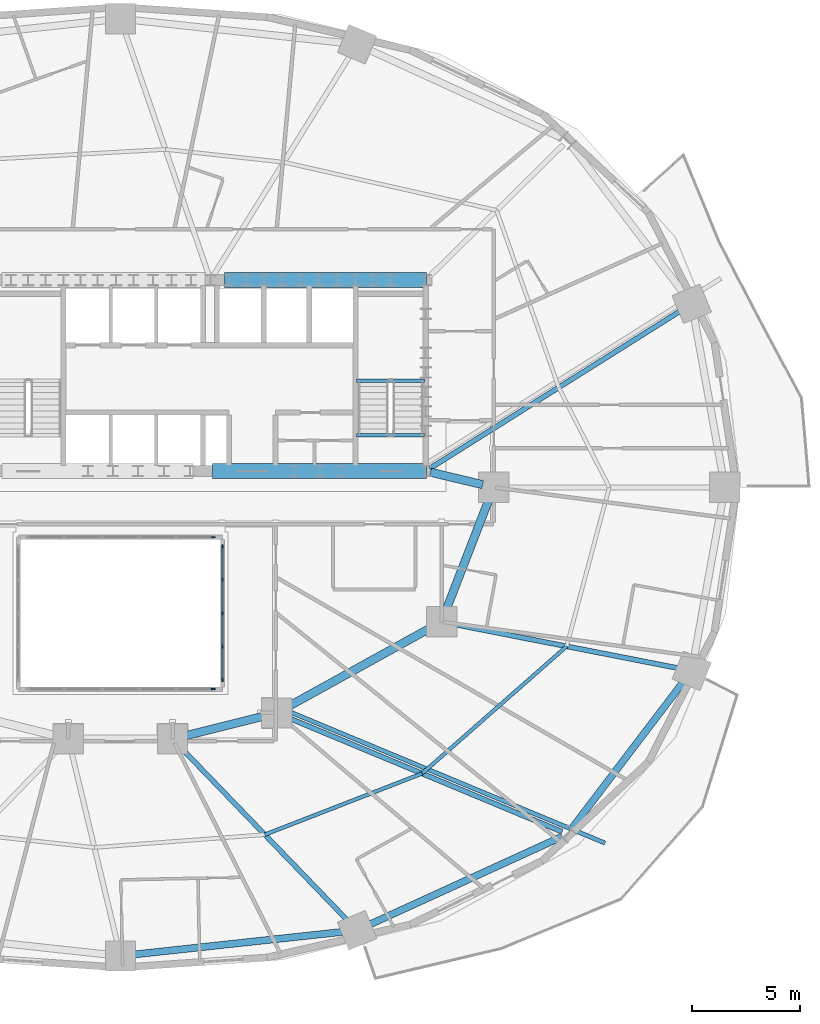
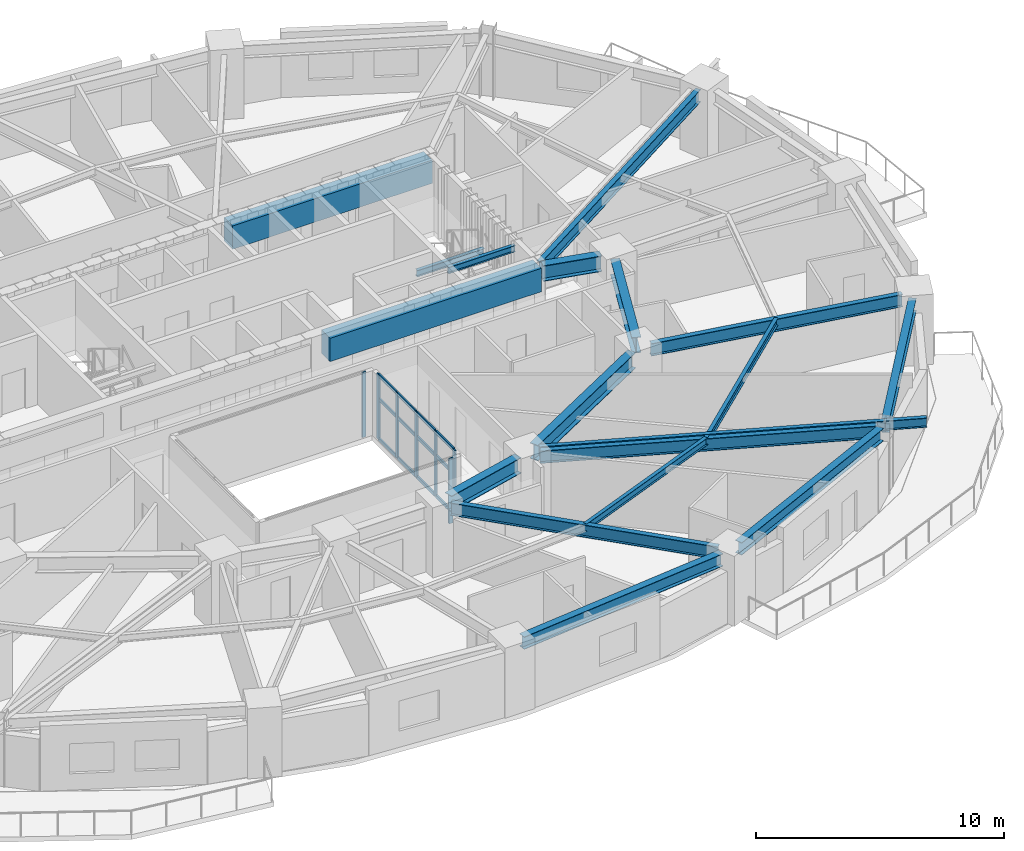
# One storey, part 5 of 15: 19 members, 18 beams, 3 elements without a shape of their own.
"""IFC4 building model written with IfcOpenShell, lengths in metres."""

from ifc_helpers import new_model, si_unit, direction, frame, origin, origin_2d, place, context, subcontext, project, spatial, rectangle, i_section, extrude, material, material_profile, profile_set, type_object, element, aggregate, save


model = new_model("IFC4")

# Units and contexts
model_context = context("Model", 3, precision=1e-05, world=origin(), true_north=direction((0.0, 1.0)))
body_context = subcontext(model_context, "Body", "Model", "MODEL_VIEW")
ifc_project = project(units=[si_unit("LENGTHUNIT", "METRE"), si_unit("AREAUNIT", "SQUARE_METRE"), si_unit("VOLUMEUNIT", "CUBIC_METRE"), si_unit("PLANEANGLEUNIT", "RADIAN"), si_unit("MASSUNIT", "GRAM", prefix="KILO")], contexts=[model_context])

# Site, building, storey
site_placement = place(None, origin())
site = spatial("IfcSite", under=ifc_project, at=site_placement, CompositionType="ELEMENT")
building_placement = place(site_placement, origin())
building = spatial("IfcBuilding", under=site, at=building_placement, Name="Haldorwick Loom Tower", CompositionType="ELEMENT")
storey_placement = place(building_placement, frame((0.0, 0.0, 81.800048828125)))
storey = spatial("IfcBuildingStorey", under=building, at=storey_placement, Name="L21", CompositionType="ELEMENT", Elevation=81.800048828125)

# Curtain wall, member
ifc_material_1 = material(Name="Thermally Broken Anodized Aluminium Curtain Wall Framing", Category="aluminium")
curtain_wall_type = type_object("IfcCurtainWallType", Name="ARC-CW-03", PredefinedType="NOTDEFINED", material=ifc_material_1)
curtain_wall_1_placement = place(storey_placement, origin())
curtain_wall_1 = element("IfcCurtainWall", 1, at=curtain_wall_1_placement, inside=storey, type_object=curtain_wall_type, Name="L21 Atrium Glazed Screen S", PredefinedType="NOTDEFINED")
ifc_material_profile_1 = material_profile(ifc_material_1, rectangle(XDim=0.06591796875, YDim=0.18505859375, at=origin_2d()), Name="ALU_MUL_66X185", Category="aluminium")
ifc_profile_set_1 = profile_set([ifc_material_profile_1], Name="Thermally Broken Anodized Aluminium Curtain Wall Framing")
member_type_1 = type_object("IfcMemberType", Name="ARC-CWM-03", PredefinedType="MULLION", material=ifc_profile_set_1)
member_1_placement = place(storey_placement, frame((40.26708984375, 16.699951171875, 0.0), z_axis=(0.0, 0.0, 1.0), x_axis=(0.0, -1.0, 0.0)))
member_1 = element("IfcMember", 2, at=member_1_placement, type_object=member_type_1, Name="CW-03 mullion 1", PredefinedType="MULLION", context=body_context, shape_type="SweptSolid", body=[
    extrude(rectangle(XDim=0.06591796875, YDim=0.18505859375, at=origin_2d()), origin(), (0.0, 0.0, 1.0), 3.2099609375),
])
aggregate(curtain_wall_1, [member_1])

curtain_wall_2_placement = place(storey_placement, origin())
curtain_wall_2 = element("IfcCurtainWall", 3, at=curtain_wall_2_placement, inside=storey, type_object=curtain_wall_type, Name="L21 Atrium Glazed Screen N", PredefinedType="NOTDEFINED")
member_2_placement = place(storey_placement, frame((40.26708984375, 23.699951171875, 0.0), z_axis=(0.0, 0.0, 1.0), x_axis=(0.0, 1.0, 0.0)))
member_2 = element("IfcMember", 4, at=member_2_placement, type_object=member_type_1, Name="CW-03 mullion 6", PredefinedType="MULLION", context=body_context, shape_type="SweptSolid", body=[
    extrude(rectangle(XDim=0.06591796875, YDim=0.18505859375, at=origin_2d()), origin(), (0.0, 0.0, 1.0), 3.2099609375),
])
aggregate(curtain_wall_2, [member_2])

# Curtain wall, members
curtain_wall_3_placement = place(storey_placement, origin())
curtain_wall_3 = element("IfcCurtainWall", 5, at=curtain_wall_3_placement, inside=storey, type_object=curtain_wall_type, Name="L21 Atrium Glazed Screen E", PredefinedType="NOTDEFINED")
member_3_placement = place(storey_placement, frame((40.699951171875, 23.26708984375, 0.0), z_axis=(0.0, 0.0, 1.0), x_axis=(1.0, 0.0, 0.0)))
member_3 = element("IfcMember", 6, at=member_3_placement, type_object=member_type_1, Name="CW-03 mullion 1", PredefinedType="MULLION", context=body_context, shape_type="SweptSolid", body=[
    extrude(rectangle(XDim=0.06591796875, YDim=0.18505859375, at=origin_2d()), origin(), (0.0, 0.0, 1.0), 3.2099609375),
])
member_4_placement = place(storey_placement, frame((40.699951171875, 21.75, 0.0), z_axis=(0.0, 0.0, 1.0), x_axis=(1.0, 0.0, 0.0)))
member_4 = element("IfcMember", 7, at=member_4_placement, type_object=member_type_1, Name="CW-03 mullion 2", PredefinedType="MULLION", context=body_context, shape_type="SweptSolid", body=[
    extrude(rectangle(XDim=0.06591796875, YDim=0.18505859375, at=origin_2d()), origin(), (0.0, 0.0, 1.0), 3.2099609375),
])
member_5_placement = place(storey_placement, frame((40.699951171875, 20.199951171875, 0.0), z_axis=(0.0, 0.0, 1.0), x_axis=(1.0, 0.0, 0.0)))
member_5 = element("IfcMember", 8, at=member_5_placement, type_object=member_type_1, Name="CW-03 mullion 3", PredefinedType="MULLION", context=body_context, shape_type="SweptSolid", body=[
    extrude(rectangle(XDim=0.06591796875, YDim=0.18505859375, at=origin_2d()), origin(), (0.0, 0.0, 1.0), 3.2099609375),
])
member_6_placement = place(storey_placement, frame((40.699951171875, 18.64990234375, 0.0), z_axis=(0.0, 0.0, 1.0), x_axis=(1.0, 0.0, 0.0)))
member_6 = element("IfcMember", 9, at=member_6_placement, type_object=member_type_1, Name="CW-03 mullion 4", PredefinedType="MULLION", context=body_context, shape_type="SweptSolid", body=[
    extrude(rectangle(XDim=0.06591796875, YDim=0.18505859375, at=origin_2d()), origin(), (0.0, 0.0, 1.0), 3.2099609375),
])
member_7_placement = place(storey_placement, frame((40.699951171875, 17.133056640625, 0.0), z_axis=(0.0, 0.0, 1.0), x_axis=(1.0, 0.0, 0.0)))
member_7 = element("IfcMember", 10, at=member_7_placement, type_object=member_type_1, Name="CW-03 mullion 5", PredefinedType="MULLION", context=body_context, shape_type="SweptSolid", body=[
    extrude(rectangle(XDim=0.06591796875, YDim=0.18505859375, at=origin_2d()), origin(), (0.0, 0.0, 1.0), 3.2099609375),
])
ifc_material_profile_2 = material_profile(ifc_material_1, rectangle(XDim=0.06591796875, YDim=0.1650390625, at=origin_2d()), Name="ALU_TRN_66X165", Category="aluminium")
ifc_profile_set_2 = profile_set([ifc_material_profile_2], Name="Thermally Broken Anodized Aluminium Curtain Wall Framing")
member_type_2 = type_object("IfcMemberType", Name="ARC-CWT-03", PredefinedType="USERDEFINED", material=ifc_profile_set_2)
member_8_placement = place(storey_placement, frame((40.699951171875, 23.23388671875, 0.032958984375), z_axis=(0.0, -1.0, 0.0), x_axis=(1.0, 0.0, 0.0)))
member_8 = element("IfcMember", 11, at=member_8_placement, type_object=member_type_2, Name="CW-03 transom 1.1", ObjectType="TRANSOM", PredefinedType="USERDEFINED", context=body_context, shape_type="SweptSolid", body=[
    extrude(rectangle(XDim=0.06591796875, YDim=0.1650390625, at=origin_2d()), origin(), (0.0, 0.0, 1.0), 1.450927734375),
])
member_9_placement = place(storey_placement, frame((40.699951171875, 23.23388671875, 2.0), z_axis=(0.0, -1.0, 0.0), x_axis=(1.0, 0.0, 0.0)))
member_9 = element("IfcMember", 12, at=member_9_placement, type_object=member_type_2, Name="CW-03 transom 1.2", ObjectType="TRANSOM", PredefinedType="USERDEFINED", context=body_context, shape_type="SweptSolid", body=[
    extrude(rectangle(XDim=0.06591796875, YDim=0.1650390625, at=origin_2d()), origin(), (0.0, 0.0, 1.0), 1.450927734375),
])
member_10_placement = place(storey_placement, frame((40.699951171875, 23.23388671875, 3.177001953125), z_axis=(0.0, -1.0, 0.0), x_axis=(1.0, 0.0, 0.0)))
member_10 = element("IfcMember", 13, at=member_10_placement, type_object=member_type_2, Name="CW-03 transom 1.3", ObjectType="TRANSOM", PredefinedType="USERDEFINED", context=body_context, shape_type="SweptSolid", body=[
    extrude(rectangle(XDim=0.06591796875, YDim=0.1650390625, at=origin_2d()), origin(), (0.0, 0.0, 1.0), 1.450927734375),
])
member_11_placement = place(storey_placement, frame((40.699951171875, 21.717041015625, 0.032958984375), z_axis=(0.0, -1.0, 0.0), x_axis=(1.0, 0.0, 0.0)))
member_11 = element("IfcMember", 14, at=member_11_placement, type_object=member_type_2, Name="CW-03 transom 2.1", ObjectType="TRANSOM", PredefinedType="USERDEFINED", context=body_context, shape_type="SweptSolid", body=[
    extrude(rectangle(XDim=0.06591796875, YDim=0.1650390625, at=origin_2d()), origin(), (0.0, 0.0, 1.0), 1.484130859375),
])
member_12_placement = place(storey_placement, frame((40.699951171875, 21.717041015625, 2.0), z_axis=(0.0, -1.0, 0.0), x_axis=(1.0, 0.0, 0.0)))
member_12 = element("IfcMember", 15, at=member_12_placement, type_object=member_type_2, Name="CW-03 transom 2.2", ObjectType="TRANSOM", PredefinedType="USERDEFINED", context=body_context, shape_type="SweptSolid", body=[
    extrude(rectangle(XDim=0.06591796875, YDim=0.1650390625, at=origin_2d()), origin(), (0.0, 0.0, 1.0), 1.484130859375),
])
member_13_placement = place(storey_placement, frame((40.699951171875, 21.717041015625, 3.177001953125), z_axis=(0.0, -1.0, 0.0), x_axis=(1.0, 0.0, 0.0)))
member_13 = element("IfcMember", 16, at=member_13_placement, type_object=member_type_2, Name="CW-03 transom 2.3", ObjectType="TRANSOM", PredefinedType="USERDEFINED", context=body_context, shape_type="SweptSolid", body=[
    extrude(rectangle(XDim=0.06591796875, YDim=0.1650390625, at=origin_2d()), origin(), (0.0, 0.0, 1.0), 1.484130859375),
])
member_14_placement = place(storey_placement, frame((40.699951171875, 20.1669921875, 0.032958984375), z_axis=(0.0, -1.0, 0.0), x_axis=(1.0, 0.0, 0.0)))
member_14 = element("IfcMember", 17, at=member_14_placement, type_object=member_type_2, Name="CW-03 transom 3.1", ObjectType="TRANSOM", PredefinedType="USERDEFINED", context=body_context, shape_type="SweptSolid", body=[
    extrude(rectangle(XDim=0.06591796875, YDim=0.1650390625, at=origin_2d()), origin(), (0.0, 0.0, 1.0), 1.48388671875),
])
member_15_placement = place(storey_placement, frame((40.699951171875, 20.1669921875, 2.0), z_axis=(0.0, -1.0, 0.0), x_axis=(1.0, 0.0, 0.0)))
member_15 = element("IfcMember", 18, at=member_15_placement, type_object=member_type_2, Name="CW-03 transom 3.2", ObjectType="TRANSOM", PredefinedType="USERDEFINED", context=body_context, shape_type="SweptSolid", body=[
    extrude(rectangle(XDim=0.06591796875, YDim=0.1650390625, at=origin_2d()), origin(), (0.0, 0.0, 1.0), 1.48388671875),
])
member_16_placement = place(storey_placement, frame((40.699951171875, 20.1669921875, 3.177001953125), z_axis=(0.0, -1.0, 0.0), x_axis=(1.0, 0.0, 0.0)))
member_16 = element("IfcMember", 19, at=member_16_placement, type_object=member_type_2, Name="CW-03 transom 3.3", ObjectType="TRANSOM", PredefinedType="USERDEFINED", context=body_context, shape_type="SweptSolid", body=[
    extrude(rectangle(XDim=0.06591796875, YDim=0.1650390625, at=origin_2d()), origin(), (0.0, 0.0, 1.0), 1.48388671875),
])
member_17_placement = place(storey_placement, frame((40.699951171875, 18.616943359375, 0.032958984375), z_axis=(0.0, -1.0, 0.0), x_axis=(1.0, 0.0, 0.0)))
member_17 = element("IfcMember", 20, at=member_17_placement, type_object=member_type_2, Name="CW-03 transom 4.1", ObjectType="TRANSOM", PredefinedType="USERDEFINED", context=body_context, shape_type="SweptSolid", body=[
    extrude(rectangle(XDim=0.06591796875, YDim=0.1650390625, at=origin_2d()), origin(), (0.0, 0.0, 1.0), 1.450927734375),
])
member_18_placement = place(storey_placement, frame((40.699951171875, 18.616943359375, 2.0), z_axis=(0.0, -1.0, 0.0), x_axis=(1.0, 0.0, 0.0)))
member_18 = element("IfcMember", 21, at=member_18_placement, type_object=member_type_2, Name="CW-03 transom 4.2", ObjectType="TRANSOM", PredefinedType="USERDEFINED", context=body_context, shape_type="SweptSolid", body=[
    extrude(rectangle(XDim=0.06591796875, YDim=0.1650390625, at=origin_2d()), origin(), (0.0, 0.0, 1.0), 1.450927734375),
])
member_19_placement = place(storey_placement, frame((40.699951171875, 18.616943359375, 3.177001953125), z_axis=(0.0, -1.0, 0.0), x_axis=(1.0, 0.0, 0.0)))
member_19 = element("IfcMember", 22, at=member_19_placement, type_object=member_type_2, Name="CW-03 transom 4.3", ObjectType="TRANSOM", PredefinedType="USERDEFINED", context=body_context, shape_type="SweptSolid", body=[
    extrude(rectangle(XDim=0.06591796875, YDim=0.1650390625, at=origin_2d()), origin(), (0.0, 0.0, 1.0), 1.450927734375),
])
aggregate(curtain_wall_3, [member_3, member_4, member_5, member_6, member_7, member_8, member_9, member_10, member_11, member_12, member_13, member_14, member_15, member_16, member_17, member_18, member_19])

# Beams
ifc_material_2 = material(Name="Steel CSA G40.21 350W", Category="steel")
ifc_material_profile_3 = material_profile(ifc_material_2, i_section(OverallWidth=0.193115234375, OverallDepth=0.466064453125, WebThickness=0.011474609375, FlangeThickness=0.01904296875, at=origin_2d()), Name="W460X97", Category="steel")
ifc_profile_set_3 = profile_set([ifc_material_profile_3], Name="Steel CSA G40.21 350W")
beam_type_1 = type_object("IfcBeamType", Name="STR-BM-BAL460", PredefinedType="BEAM", material=ifc_profile_set_3)
beam_1_placement = place(storey_placement, frame((43.78759765625, 15.65869140625, 2.97705078125), z_axis=(0.923187850755, -0.384349049976, 0.0), x_axis=(0.384349049976, 0.923187850755, 0.0)))
element("IfcBeam", 23, at=beam_1_placement, inside=storey, type_object=beam_type_1, Name="L21 Continuous Back-Spanned Balcony Beam 1", PredefinedType="BEAM", context=body_context, shape_type="SweptSolid", body=[
    extrude(i_section(OverallWidth=0.193115234375, OverallDepth=0.466064453125, WebThickness=0.011474609375, FlangeThickness=0.01904296875, at=origin_2d()), origin(), (0.0, 0.0, 1.0), 15.75244140625),
])
ifc_material_3 = material(Name="Concrete C60 (60 MPa)", Category="concrete")
ifc_material_profile_4 = material_profile(ifc_material_3, rectangle(XDim=0.699951171875, YDim=1.14990234375, at=origin_2d()), Name="RC700X1150", Category="concrete")
ifc_profile_set_4 = profile_set([ifc_material_profile_4], Name="Concrete C60 (60 MPa)")
beam_type_2 = type_object("IfcBeamType", Name="STR-BM-CB1150", PredefinedType="LINTEL", material=ifc_profile_set_4)
beam_2_placement = place(storey_placement, frame((40.800048828125, 35.550048828125, 2.635009765625), z_axis=(1.0, 0.0, 0.0), x_axis=(0.0, 1.0, 0.0)))
element("IfcBeam", 24, at=beam_2_placement, inside=storey, type_object=beam_type_2, Name="L21 Core Coupling Beam CB-N3", PredefinedType="LINTEL", context=body_context, shape_type="SweptSolid", body=[
    extrude(rectangle(XDim=0.699951171875, YDim=1.14990234375, at=origin_2d()), origin(), (0.0, 0.0, 1.0), 9.300048828125),
])
beam_3_placement = place(storey_placement, frame((40.25, 26.75, 2.635009765625), z_axis=(1.0, 0.0, 0.0), x_axis=(0.0, 1.0, 0.0)))
element("IfcBeam", 25, at=beam_3_placement, inside=storey, type_object=beam_type_2, Name="L21 Core Coupling Beam CB-S3", PredefinedType="LINTEL", context=body_context, shape_type="SweptSolid", body=[
    extrude(rectangle(XDim=0.699951171875, YDim=1.14990234375, at=origin_2d()), origin(), (0.0, 0.0, 1.0), 9.85009765625),
])
ifc_material_profile_5 = material_profile(ifc_material_2, i_section(OverallWidth=0.172119140625, OverallDepth=0.35791015625, WebThickness=0.0078125, FlangeThickness=0.01318359375, at=origin_2d()), Name="W360X57", Category="steel")
ifc_profile_set_5 = profile_set([ifc_material_profile_5], Name="Steel CSA G40.21 350W")
beam_type_3 = type_object("IfcBeamType", Name="STR-BM-J360", PredefinedType="JOIST", material=ifc_profile_set_5)
beam_4_placement = place(storey_placement, frame((42.6533203125, 9.9912109375, 3.031005859375), z_axis=(0.932072983051, 0.362270553959, 0.0), x_axis=(-0.362270553959, 0.932072983051, 0.0)))
element("IfcBeam", 26, at=beam_4_placement, inside=storey, type_object=beam_type_3, Name="L21 Mid-Bay Secondary Joist 14", PredefinedType="JOIST", context=body_context, shape_type="SweptSolid", body=[
    extrude(i_section(OverallWidth=0.172119140625, OverallDepth=0.35791015625, WebThickness=0.0078125, FlangeThickness=0.01318359375, at=origin_2d()), origin(), (0.0, 0.0, 1.0), 7.7783203125),
])
beam_5_placement = place(storey_placement, frame((49.9033203125, 12.80908203125, 3.031005859375), z_axis=(0.750721157729, 0.660619212057, 0.0), x_axis=(-0.660619212057, 0.750721157729, 0.0)))
element("IfcBeam", 27, at=beam_5_placement, inside=storey, type_object=beam_type_3, Name="L21 Mid-Bay Secondary Joist 15", PredefinedType="JOIST", context=body_context, shape_type="SweptSolid", body=[
    extrude(i_section(OverallWidth=0.172119140625, OverallDepth=0.35791015625, WebThickness=0.0078125, FlangeThickness=0.01318359375, at=origin_2d()), origin(), (0.0, 0.0, 1.0), 8.8740234375),
])
ifc_material_profile_6 = material_profile(ifc_material_2, i_section(OverallWidth=0.324951171875, OverallDepth=0.615966796875, WebThickness=0.013916015625, FlangeThickness=0.021484375, at=origin_2d()), Name="W610X174", Category="steel")
ifc_profile_set_6 = profile_set([ifc_material_profile_6], Name="Steel CSA G40.21 350W")
beam_type_4 = type_object("IfcBeamType", Name="STR-BM-SP610", PredefinedType="SPANDREL", material=ifc_profile_set_6)
beam_6_placement = place(storey_placement, frame((36.51708984375, 4.45751953125, 2.90185546875), z_axis=(0.994190135627, 0.107638163409, 0.0), x_axis=(-0.107638163409, 0.994190135627, 0.0)))
element("IfcBeam", 28, at=beam_6_placement, inside=storey, type_object=beam_type_4, Name="L21 Perimeter Spandrel 13", PredefinedType="SPANDREL", context=body_context, shape_type="SweptSolid", body=[
    extrude(i_section(OverallWidth=0.324951171875, OverallDepth=0.615966796875, WebThickness=0.013916015625, FlangeThickness=0.021484375, at=origin_2d()), origin(), (0.0, 0.0, 1.0), 9.929931640625),
])
beam_7_placement = place(storey_placement, frame((47.37939453125, 5.798583984375, 2.90185546875), z_axis=(0.909423969306, 0.415870225011, 0.0), x_axis=(-0.415870225011, 0.909423969306, 0.0)))
element("IfcBeam", 29, at=beam_7_placement, inside=storey, type_object=beam_type_4, Name="L21 Perimeter Spandrel 14", PredefinedType="SPANDREL", context=body_context, shape_type="SweptSolid", body=[
    extrude(i_section(OverallWidth=0.324951171875, OverallDepth=0.615966796875, WebThickness=0.013916015625, FlangeThickness=0.021484375, at=origin_2d()), origin(), (0.0, 0.0, 1.0), 9.871337890625),
])
beam_8_placement = place(storey_placement, frame((56.773193359375, 10.2373046875, 2.90185546875), z_axis=(0.605453508047, 0.795880675475, 0.0), x_axis=(-0.795880675475, 0.605453508047, 0.0)))
element("IfcBeam", 30, at=beam_8_placement, inside=storey, type_object=beam_type_4, Name="L21 Perimeter Spandrel 15", PredefinedType="SPANDREL", context=body_context, shape_type="SweptSolid", body=[
    extrude(i_section(OverallWidth=0.324951171875, OverallDepth=0.615966796875, WebThickness=0.013916015625, FlangeThickness=0.021484375, at=origin_2d()), origin(), (0.0, 0.0, 1.0), 8.6591796875),
])
ifc_material_profile_7 = material_profile(ifc_material_2, i_section(OverallWidth=0.166015625, OverallDepth=0.31298828125, WebThickness=0.006591796875, FlangeThickness=0.01123046875, at=origin_2d()), Name="W310X45", Category="steel")
ifc_profile_set_7 = profile_set([ifc_material_profile_7], Name="Steel CSA G40.21 350W")
beam_type_5 = type_object("IfcBeamType", Name="STR-BM-STRM", PredefinedType="BEAM", material=ifc_profile_set_7)
for number, where, z_axis, x_axis, name in (
    (31, (46.889892578125, 28.39990234375, 3.053466796875), (1.0, 0.0, 0.0), (0.0, 1.0, 0.0), "L21 Stair ST-02 Landing Edge Trimmer"),
    (32, (46.889892578125, 30.919921875, 1.368408203125), (1.0, 0.0, 0.0), (0.0, 1.0, 0.0), "L21 Stair ST-02 Half-Landing Trimmer 1"),
):
    element("IfcBeam", number, at=place(storey_placement, frame(where, z_axis=z_axis, x_axis=x_axis)), inside=storey, type_object=beam_type_5, Name=name, PredefinedType="BEAM", context=body_context, shape_type="SweptSolid", body=[
        extrude(i_section(OverallWidth=0.166015625, OverallDepth=0.31298828125, WebThickness=0.006591796875, FlangeThickness=0.01123046875, at=origin_2d()), origin(), (0.0, 0.0, 1.0), 3.1201171875),
    ])
ifc_material_profile_8 = material_profile(ifc_material_2, i_section(OverallWidth=0.22998046875, OverallDepth=0.616943359375, WebThickness=0.01318359375, FlangeThickness=0.022216796875, at=origin_2d()), Name="W610X140", Category="steel")
ifc_profile_set_8 = profile_set([ifc_material_profile_8], Name="Steel CSA G40.21 350W")
beam_type_6 = type_object("IfcBeamType", Name="STR-BM-W610B", PredefinedType="BEAM", material=ifc_profile_set_8)
beam_9_placement = place(storey_placement, frame((50.260498046875, 26.86962890625, 2.9013671875), z_axis=(0.846609551433, 0.532214493811, 0.0), x_axis=(-0.532214493811, 0.846609551433, 0.0)))
element("IfcBeam", 33, at=beam_9_placement, inside=storey, type_object=beam_type_6, Name="L21 Radial Floor Girder 2", PredefinedType="BEAM", context=body_context, shape_type="SweptSolid", body=[
    extrude(i_section(OverallWidth=0.22998046875, OverallDepth=0.616943359375, WebThickness=0.01318359375, FlangeThickness=0.022216796875, at=origin_2d()), origin(), (0.0, 0.0, 1.0), 13.737060546875),
])
beam_10_placement = place(storey_placement, frame((38.760986328125, 14.02587890625, 2.9013671875), z_axis=(0.694287071595, -0.719698174387, 0.0), x_axis=(0.719698174387, 0.694287071595, 0.0)))
element("IfcBeam", 34, at=beam_10_placement, inside=storey, type_object=beam_type_6, Name="L21 Radial Floor Girder 14", PredefinedType="BEAM", context=body_context, shape_type="SweptSolid", body=[
    extrude(i_section(OverallWidth=0.22998046875, OverallDepth=0.616943359375, WebThickness=0.01318359375, FlangeThickness=0.022216796875, at=origin_2d()), origin(), (0.0, 0.0, 1.0), 11.212158203125),
])
beam_11_placement = place(storey_placement, frame((43.68017578125, 15.400146484375, 2.9013671875), z_axis=(0.923183704764, -0.384359008297, 0.0), x_axis=(0.384359008297, 0.923183704764, 0.0)))
element("IfcBeam", 35, at=beam_11_placement, inside=storey, type_object=beam_type_6, Name="L21 Radial Floor Girder 15", PredefinedType="BEAM", context=body_context, shape_type="SweptSolid", body=[
    extrude(i_section(OverallWidth=0.22998046875, OverallDepth=0.616943359375, WebThickness=0.01318359375, FlangeThickness=0.022216796875, at=origin_2d()), origin(), (0.0, 0.0, 1.0), 13.72705078125),
])
beam_12_placement = place(storey_placement, frame((51.310302734375, 19.7001953125, 2.9013671875), z_axis=(0.981369581426, -0.192129499692, 0.0), x_axis=(0.192129499692, 0.981369581426, 0.0)))
element("IfcBeam", 36, at=beam_12_placement, inside=storey, type_object=beam_type_6, Name="L21 Radial Floor Girder 16", PredefinedType="BEAM", context=body_context, shape_type="SweptSolid", body=[
    extrude(i_section(OverallWidth=0.22998046875, OverallDepth=0.616943359375, WebThickness=0.01318359375, FlangeThickness=0.022216796875, at=origin_2d()), origin(), (0.0, 0.0, 1.0), 10.70947265625),
])
ifc_material_profile_9 = material_profile(ifc_material_2, i_section(OverallWidth=0.381103515625, OverallDepth=0.77294921875, WebThickness=0.0166015625, FlangeThickness=0.027587890625, at=origin_2d()), Name="W760X257", Category="steel")
ifc_profile_set_9 = profile_set([ifc_material_profile_9], Name="Steel CSA G40.21 350W")
beam_type_7 = type_object("IfcBeamType", Name="STR-BM-W760", PredefinedType="BEAM", material=ifc_profile_set_9)
beam_13_placement = place(storey_placement, frame((50.288818359375, 26.697509765625, 2.823486328125), z_axis=(0.97247055837, -0.233025777764, 0.0), x_axis=(0.233025777764, 0.97247055837, 0.0)))
element("IfcBeam", 37, at=beam_13_placement, inside=storey, type_object=beam_type_7, Name="L21 Inner Ring Girder 1", PredefinedType="BEAM", context=body_context, shape_type="SweptSolid", body=[
    extrude(i_section(OverallWidth=0.381103515625, OverallDepth=0.77294921875, WebThickness=0.0166015625, FlangeThickness=0.027587890625, at=origin_2d()), origin(), (0.0, 0.0, 1.0), 2.4736328125),
])
beam_14_placement = place(storey_placement, frame((53.01220703125, 25.51513671875, 2.823486328125), z_axis=(-0.360964792353, -0.93257944363, 0.0), x_axis=(0.93257944363, -0.360964792353, 0.0)))
element("IfcBeam", 38, at=beam_14_placement, inside=storey, type_object=beam_type_7, Name="L21 Inner Ring Girder 2", PredefinedType="BEAM", context=body_context, shape_type="SweptSolid", body=[
    extrude(i_section(OverallWidth=0.381103515625, OverallDepth=0.77294921875, WebThickness=0.0166015625, FlangeThickness=0.027587890625, at=origin_2d()), origin(), (0.0, 0.0, 1.0), 5.6083984375),
])
beam_15_placement = place(storey_placement, frame((50.344970703125, 19.548583984375, 2.823486328125), z_axis=(-0.875244382146, -0.483680960471, 0.0), x_axis=(0.483680960471, -0.875244382146, 0.0)))
element("IfcBeam", 39, at=beam_15_placement, inside=storey, type_object=beam_type_7, Name="L21 Inner Ring Girder 3", PredefinedType="BEAM", context=body_context, shape_type="SweptSolid", body=[
    extrude(i_section(OverallWidth=0.381103515625, OverallDepth=0.77294921875, WebThickness=0.0166015625, FlangeThickness=0.027587890625, at=origin_2d()), origin(), (0.0, 0.0, 1.0), 7.6435546875),
])
beam_16_placement = place(storey_placement, frame((42.695556640625, 15.473876953125, 2.823486328125), z_axis=(-0.970142500145, -0.242535625036, 0.0), x_axis=(0.242535625036, -0.970142500145, 0.0)))
element("IfcBeam", 40, at=beam_16_placement, inside=storey, type_object=beam_type_7, Name="L21 Inner Ring Girder 4", PredefinedType="BEAM", context=body_context, shape_type="SweptSolid", body=[
    extrude(i_section(OverallWidth=0.381103515625, OverallDepth=0.77294921875, WebThickness=0.0166015625, FlangeThickness=0.027587890625, at=origin_2d()), origin(), (0.0, 0.0, 1.0), 3.90771484375),
])

save(model, "model.ifc")
